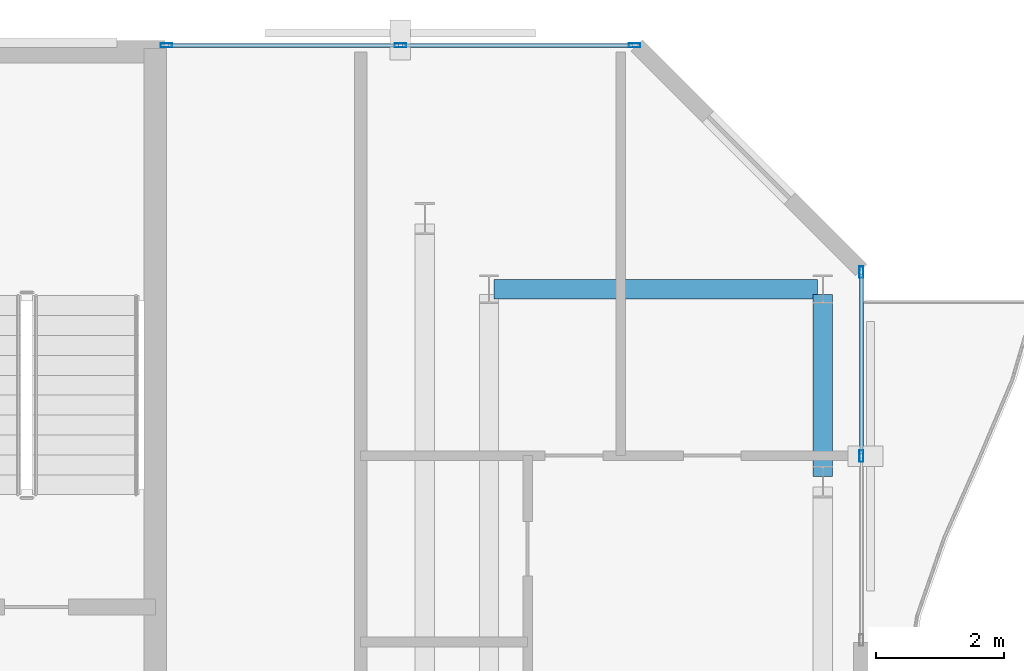
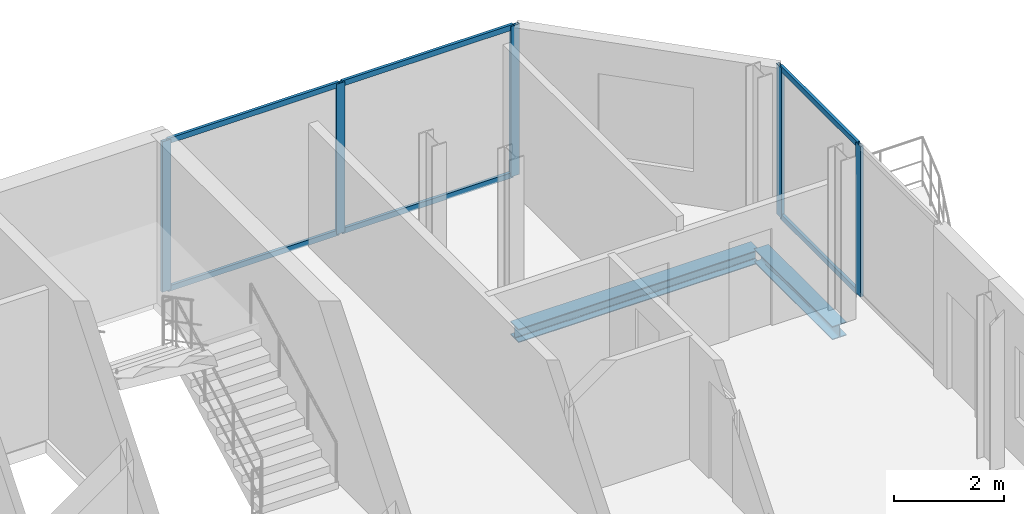
# One storey, part 16 of 23: 11 members, 2 beams, 2 elements without a shape of their own.
"""IFC4 building model written with IfcOpenShell, lengths in metres."""

from ifc_helpers import new_model, si_unit, direction, frame, origin, origin_2d, place, context, subcontext, project, spatial, hollow_rectangle, i_section, extrude, material, layer, layer_set, material_profile, profile_set, type_object, element, aggregate, save


model = new_model("IFC4")

# Units and contexts
model_context = context("Model", 3, precision=1e-05, world=origin(), true_north=direction((0.0, 1.0)))
body_context = subcontext(model_context, "Body", "Model", "MODEL_VIEW")
ifc_project = project(units=[si_unit("LENGTHUNIT", "METRE"), si_unit("AREAUNIT", "SQUARE_METRE"), si_unit("VOLUMEUNIT", "CUBIC_METRE"), si_unit("PLANEANGLEUNIT", "RADIAN"), si_unit("MASSUNIT", "GRAM", prefix="KILO")], contexts=[model_context])

# Site, building, storey
site_placement = place(None, origin())
site = spatial("IfcSite", under=ifc_project, at=site_placement, CompositionType="ELEMENT")
building_placement = place(site_placement, origin())
building = spatial("IfcBuilding", under=site, at=building_placement, Name="Catumbela Crestline Tower", CompositionType="ELEMENT")
storey_placement = place(building_placement, frame((0.0, 0.0, 201.0)))
storey = spatial("IfcBuildingStorey", under=building, at=storey_placement, Name="L52", CompositionType="ELEMENT", Elevation=201.0)

# Curtain wall, members
ifc_material_1 = material(Name="Aluminium alloy AW-6060-T66", Category="aluminium")
ifc_layer = layer(ifc_material_1, 0.18, Name="Aluminium alloy AW-6060-T66")
ifc_layer_set = layer_set([ifc_layer], Name="Aluminium alloy AW-6060-T66")
curtain_wall_type = type_object("IfcCurtainWallType", Name="CWU-Z3", PredefinedType="USERDEFINED", material=ifc_layer_set)
curtain_wall_1_placement = place(storey_placement, origin())
curtain_wall_1 = element("IfcCurtainWall", 1, at=curtain_wall_1_placement, inside=storey, type_object=curtain_wall_type, Name="L52 Unitised Curtain Wall CW-L52-E5S2", ObjectType="UNITISED", PredefinedType="USERDEFINED")
ifc_material_profile_1 = material_profile(ifc_material_1, hollow_rectangle(XDim=0.065, YDim=0.18, WallThickness=0.004, at=origin_2d()), Name="ALU 180x65x4")
ifc_profile_set_1 = profile_set([ifc_material_profile_1], Name="Aluminium alloy AW-6060-T66")
member_type_1 = type_object("IfcMemberType", Name="MUL-180X65", PredefinedType="MULLION", material=ifc_profile_set_1)
member_1_placement = place(storey_placement, frame((51.0, 36.6, 0.0), z_axis=(0.0, 0.0, 1.0), x_axis=(-1.0, 0.0, 0.0)))
member_1 = element("IfcMember", 2, at=member_1_placement, type_object=member_type_1, Name="CWU-Z3 mullion 2", PredefinedType="MULLION", context=body_context, shape_type="SweptSolid", body=[
    extrude(hollow_rectangle(XDim=0.065, YDim=0.18, WallThickness=0.004, at=origin_2d()), origin(), (0.0, 0.0, 1.0), 3.33),
])
member_2_placement = place(storey_placement, frame((51.0, 39.4675, 0.0), z_axis=(0.0, 0.0, 1.0), x_axis=(-1.0, 0.0, 0.0)))
member_2 = element("IfcMember", 3, at=member_2_placement, type_object=member_type_1, Name="CWU-Z3 mullion 3", PredefinedType="MULLION", context=body_context, shape_type="SweptSolid", body=[
    extrude(hollow_rectangle(XDim=0.065, YDim=0.18, WallThickness=0.004, at=origin_2d()), origin(), (0.0, 0.0, 1.0), 3.33),
])

curtain_wall_2_placement = place(storey_placement, origin())
curtain_wall_2 = element("IfcCurtainWall", 4, at=curtain_wall_2_placement, inside=storey, type_object=curtain_wall_type, Name="L52 Unitised Curtain Wall CW-L52-E7S1", ObjectType="UNITISED", PredefinedType="USERDEFINED")
member_3_placement = place(storey_placement, frame((47.4675, 43.0, 0.0), z_axis=(0.0, 0.0, 1.0), x_axis=(0.0, -1.0, 0.0)))
member_3 = element("IfcMember", 5, at=member_3_placement, type_object=member_type_1, Name="CWU-Z3 mullion 1", PredefinedType="MULLION", context=body_context, shape_type="SweptSolid", body=[
    extrude(hollow_rectangle(XDim=0.065, YDim=0.18, WallThickness=0.004, at=origin_2d()), origin(), (0.0, 0.0, 1.0), 3.33),
])
member_4_placement = place(storey_placement, frame((43.82, 43.0, 0.0), z_axis=(0.0, 0.0, 1.0), x_axis=(0.0, -1.0, 0.0)))
member_4 = element("IfcMember", 6, at=member_4_placement, type_object=member_type_1, Name="CWU-Z3 mullion 2", PredefinedType="MULLION", context=body_context, shape_type="SweptSolid", body=[
    extrude(hollow_rectangle(XDim=0.065, YDim=0.18, WallThickness=0.004, at=origin_2d()), origin(), (0.0, 0.0, 1.0), 3.33),
])
member_5_placement = place(storey_placement, frame((40.1725, 43.0, 0.0), z_axis=(0.0, 0.0, 1.0), x_axis=(0.0, -1.0, 0.0)))
member_5 = element("IfcMember", 7, at=member_5_placement, type_object=member_type_1, Name="CWU-Z3 mullion 3", PredefinedType="MULLION", context=body_context, shape_type="SweptSolid", body=[
    extrude(hollow_rectangle(XDim=0.065, YDim=0.18, WallThickness=0.004, at=origin_2d()), origin(), (0.0, 0.0, 1.0), 3.33),
])

# Beams
ifc_material_2 = material(Name="Structural steel S355J2", Category="steel")
ifc_material_profile_2 = material_profile(ifc_material_2, i_section(OverallWidth=0.3, OverallDepth=0.3, WebThickness=0.011, FlangeThickness=0.019, FilletRadius=0.027, at=origin_2d()), Name="HEB 300")
ifc_profile_set_2 = profile_set([ifc_material_profile_2], Name="Structural steel S355J2")
beam_type = type_object("IfcBeamType", Name="BS-HEB300", PredefinedType="SPANDREL", material=ifc_profile_set_2)
beam_1_placement = place(storey_placement, frame((45.28, 39.2, -0.41), z_axis=(1.0, 0.0, 0.0), x_axis=(0.0, 1.0, 0.0)))
element("IfcBeam", 8, at=beam_1_placement, inside=storey, type_object=beam_type, Name="L52 Spandrel SP-L52-N13", PredefinedType="SPANDREL", context=body_context, shape_type="SweptSolid", body=[
    extrude(i_section(OverallWidth=0.3, OverallDepth=0.3, WebThickness=0.011, FlangeThickness=0.019, FilletRadius=0.027, at=origin_2d()), origin(), (0.0, 0.0, 1.0), 5.04),
])
beam_2_placement = place(storey_placement, frame((50.4, 36.28, -0.41), z_axis=(0.0, 1.0, 0.0), x_axis=(-1.0, 0.0, 0.0)))
element("IfcBeam", 9, at=beam_2_placement, inside=storey, type_object=beam_type, Name="L52 Spandrel SP-L52-SN25", PredefinedType="SPANDREL", context=body_context, shape_type="SweptSolid", body=[
    extrude(i_section(OverallWidth=0.3, OverallDepth=0.3, WebThickness=0.011, FlangeThickness=0.019, FilletRadius=0.027, at=origin_2d()), origin(), (0.0, 0.0, 1.0), 2.84),
])

# Member
ifc_material_profile_3 = material_profile(ifc_material_1, hollow_rectangle(XDim=0.06, YDim=0.12, WallThickness=0.0035, at=origin_2d()), Name="ALU 120x60x3.5")
ifc_profile_set_3 = profile_set([ifc_material_profile_3], Name="Aluminium alloy AW-6060-T66")
member_type_2 = type_object("IfcMemberType", Name="TRN-120X60", PredefinedType="USERDEFINED", material=ifc_profile_set_3)
member_6_placement = place(storey_placement, frame((51.0, 36.6325, 0.03), z_axis=(0.0, 1.0, 0.0), x_axis=(-1.0, 0.0, 0.0)))
member_6 = element("IfcMember", 10, at=member_6_placement, type_object=member_type_2, Name="CWU-Z3 transom 2.1", ObjectType="TRANSOM", PredefinedType="USERDEFINED", context=body_context, shape_type="SweptSolid", body=[
    extrude(hollow_rectangle(XDim=0.06, YDim=0.12, WallThickness=0.0035, at=origin_2d()), origin(), (0.0, 0.0, 1.0), 2.8025),
])

member_7_placement = place(storey_placement, frame((51.0, 36.6325, 3.3), z_axis=(0.0, 1.0, 0.0), x_axis=(-1.0, 0.0, 0.0)))
member_7 = element("IfcMember", 11, at=member_7_placement, type_object=member_type_2, Name="CWU-Z3 transom 2.2", ObjectType="TRANSOM", PredefinedType="USERDEFINED", context=body_context, shape_type="SweptSolid", body=[
    extrude(hollow_rectangle(XDim=0.06, YDim=0.12, WallThickness=0.0035, at=origin_2d()), origin(), (0.0, 0.0, 1.0), 2.8025),
])

aggregate(curtain_wall_1, [member_1, member_2, member_6, member_7])

member_8_placement = place(storey_placement, frame((47.435, 43.0, 0.03), z_axis=(-1.0, 0.0, 0.0), x_axis=(0.0, -1.0, 0.0)))
member_8 = element("IfcMember", 12, at=member_8_placement, type_object=member_type_2, Name="CWU-Z3 transom 1.1", ObjectType="TRANSOM", PredefinedType="USERDEFINED", context=body_context, shape_type="SweptSolid", body=[
    extrude(hollow_rectangle(XDim=0.06, YDim=0.12, WallThickness=0.0035, at=origin_2d()), origin(), (0.0, 0.0, 1.0), 3.5825),
])

member_9_placement = place(storey_placement, frame((47.435, 43.0, 3.3), z_axis=(-1.0, 0.0, 0.0), x_axis=(0.0, -1.0, 0.0)))
member_9 = element("IfcMember", 13, at=member_9_placement, type_object=member_type_2, Name="CWU-Z3 transom 1.2", ObjectType="TRANSOM", PredefinedType="USERDEFINED", context=body_context, shape_type="SweptSolid", body=[
    extrude(hollow_rectangle(XDim=0.06, YDim=0.12, WallThickness=0.0035, at=origin_2d()), origin(), (0.0, 0.0, 1.0), 3.5825),
])

member_10_placement = place(storey_placement, frame((43.7875, 43.0, 0.03), z_axis=(-1.0, 0.0, 0.0), x_axis=(0.0, -1.0, 0.0)))
member_10 = element("IfcMember", 14, at=member_10_placement, type_object=member_type_2, Name="CWU-Z3 transom 2.1", ObjectType="TRANSOM", PredefinedType="USERDEFINED", context=body_context, shape_type="SweptSolid", body=[
    extrude(hollow_rectangle(XDim=0.06, YDim=0.12, WallThickness=0.0035, at=origin_2d()), origin(), (0.0, 0.0, 1.0), 3.5825),
])

member_11_placement = place(storey_placement, frame((43.7875, 43.0, 3.3), z_axis=(-1.0, 0.0, 0.0), x_axis=(0.0, -1.0, 0.0)))
member_11 = element("IfcMember", 15, at=member_11_placement, type_object=member_type_2, Name="CWU-Z3 transom 2.2", ObjectType="TRANSOM", PredefinedType="USERDEFINED", context=body_context, shape_type="SweptSolid", body=[
    extrude(hollow_rectangle(XDim=0.06, YDim=0.12, WallThickness=0.0035, at=origin_2d()), origin(), (0.0, 0.0, 1.0), 3.5825),
])

aggregate(curtain_wall_2, [member_3, member_4, member_5, member_8, member_9, member_10, member_11])

save(model, "model.ifc")
